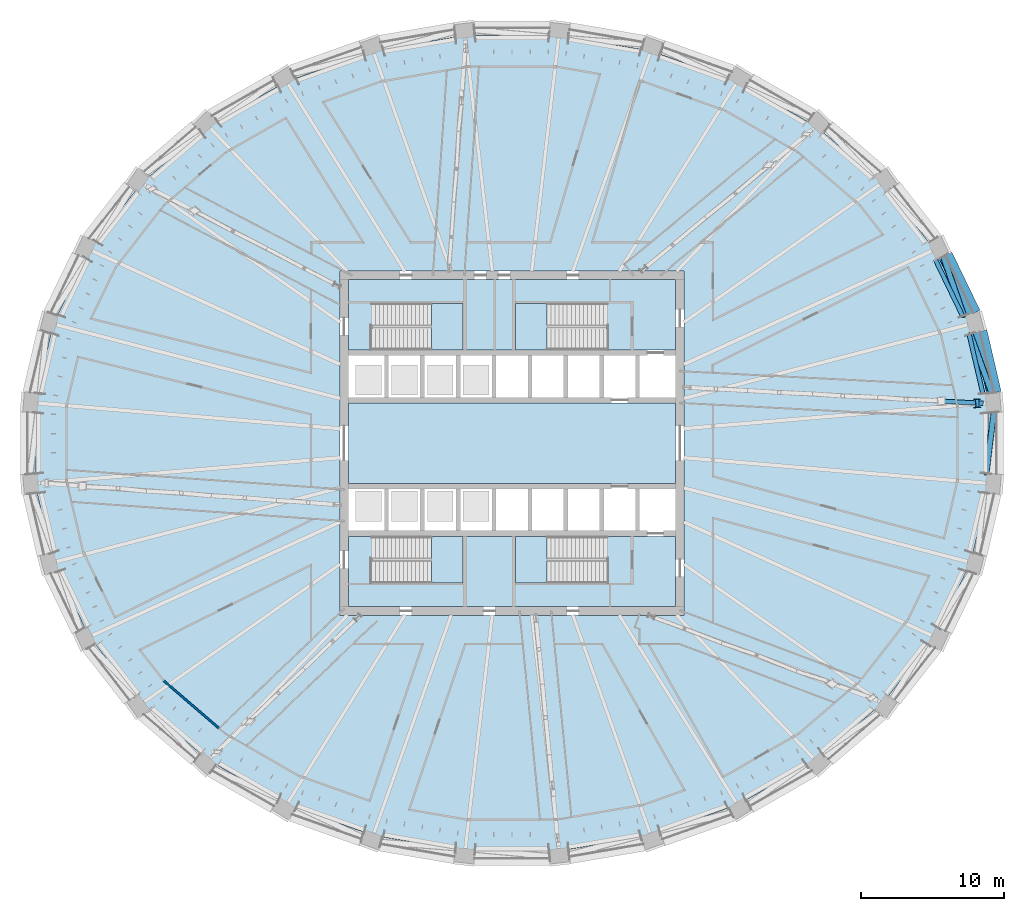
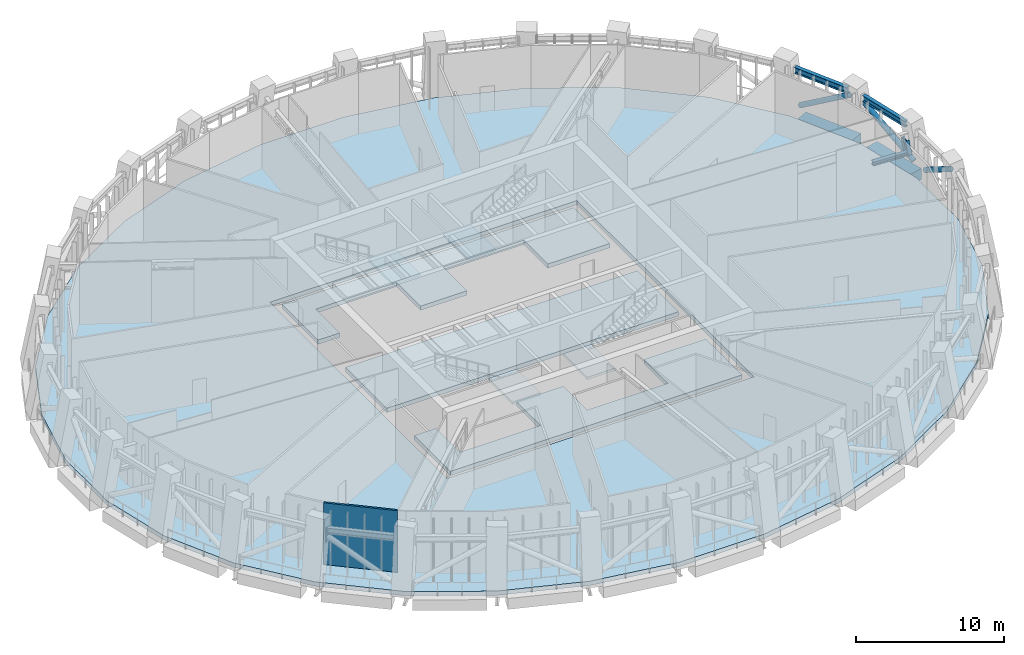
# One storey, part 6 of 21: 8 slabs, 7 members, 2 beams, 1 wall, 4 elements without a shape of their own.
"""IFC4 building model written with IfcOpenShell, lengths in metres."""

from ifc_helpers import new_model, si_unit, direction, frame, origin, origin_2d, place, context, subcontext, project, spatial, polyline, rectangle, hollow_circle, i_section, outline, extrude, material, layer, layer_set, material_profile, profile_set, type_object, element, aggregate, save


model = new_model("IFC4")

# Units and contexts
model_context = context("Model", 3, precision=1e-05, world=origin(), true_north=direction((0.0, 1.0)))
body_context = subcontext(model_context, "Body", "Model", "MODEL_VIEW")
ifc_project = project(units=[si_unit("LENGTHUNIT", "METRE"), si_unit("AREAUNIT", "SQUARE_METRE"), si_unit("VOLUMEUNIT", "CUBIC_METRE"), si_unit("PLANEANGLEUNIT", "RADIAN"), si_unit("MASSUNIT", "GRAM", prefix="KILO")], contexts=[model_context])

# Site, building, storey
site_placement = place(None, origin())
site = spatial("IfcSite", under=ifc_project, at=site_placement, CompositionType="ELEMENT")
building_placement = place(site_placement, origin())
building = spatial("IfcBuilding", under=site, at=building_placement, Name="Halqa Exchange Tower", CompositionType="ELEMENT")
storey_placement = place(building_placement, frame((0.0, 0.0, 173.5)))
storey = spatial("IfcBuildingStorey", under=building, at=storey_placement, Name="L39", CompositionType="ELEMENT", Elevation=173.5)

# Members
ifc_material_1 = material(Name="Steel S355", Category="steel")
ifc_material_profile_1 = material_profile(ifc_material_1, i_section(OverallWidth=0.300048828125, OverallDepth=0.5, WebThickness=0.014404296875, FlangeThickness=0.028076171875, FilletRadius=0.027099609375, at=origin_2d()), Name="HEB 500")
ifc_profile_set_1 = profile_set([ifc_material_profile_1], Name="Steel S355")
member_type_1 = type_object("IfcMemberType", Name="Belt truss chord HEB 500", PredefinedType="CHORD", material=ifc_profile_set_1)
member_1_placement = place(storey_placement, frame((32.821533203125, 3.443359375, 4.25), z_axis=(-0.226071328972, 0.974110750488, 0.0), x_axis=(-0.974110750488, -0.226071328972, 0.0)))
element("IfcMember", 1, at=member_1_placement, inside=storey, type_object=member_type_1, Name="Belt chord 1", PredefinedType="CHORD", context=body_context, shape_type="SweptSolid", body=[
    extrude(i_section(OverallWidth=0.300048828125, OverallDepth=0.5, WebThickness=0.014404296875, FlangeThickness=0.028076171875, FilletRadius=0.027099609375, at=origin_2d()), origin(), (0.0, 0.0, 1.0), 4.251708984375),
])
member_2_placement = place(storey_placement, frame((31.4130859375, 8.853271484375, 4.25), z_axis=(-0.435124788825, 0.900370156186, 0.0), x_axis=(-0.900370156186, -0.435124788825, 0.0)))
element("IfcMember", 2, at=member_2_placement, inside=storey, type_object=member_type_1, Name="Belt chord 2", PredefinedType="CHORD", context=body_context, shape_type="SweptSolid", body=[
    extrude(i_section(OverallWidth=0.300048828125, OverallDepth=0.5, WebThickness=0.014404296875, FlangeThickness=0.028076171875, FilletRadius=0.027099609375, at=origin_2d()), origin(), (0.0, 0.0, 1.0), 4.36083984375),
])
ifc_material_profile_2 = material_profile(ifc_material_1, hollow_circle(Radius=0.203125, WallThickness=0.02490234375, at=origin_2d()), Name="CHS 406.4x25")
ifc_profile_set_2 = profile_set([ifc_material_profile_2], Name="Steel S355")
member_type_2 = type_object("IfcMemberType", Name="Belt truss diagonal CHS 406.4x25", PredefinedType="BRACE", material=ifc_profile_set_2)
member_3_placement = place(storey_placement, frame((33.43017578125, 3.491943359375, 0.950927734375), z_axis=(-0.285439464031, 0.787290547851, 0.546532620836), x_axis=(-0.940118219576, -0.340848548804, 0.0)))
element("IfcMember", 3, at=member_3_placement, inside=storey, type_object=member_type_2, Name="Belt diagonal 1", PredefinedType="BRACE", context=body_context, shape_type="SweptSolid", body=[
    extrude(hollow_circle(Radius=0.203125, WallThickness=0.02490234375, at=origin_2d()), origin(), (0.0, 0.0, 1.0), 5.234619140625),
])
member_4_placement = place(storey_placement, frame((31.488037109375, 8.87890625, 3.811279296875), z_axis=(-0.273233890148, 0.79126704312, -0.547028068519), x_axis=(-0.945231823702, -0.326399754075, 0.0)))
element("IfcMember", 4, at=member_4_placement, inside=storey, type_object=member_type_2, Name="Belt diagonal 2", PredefinedType="BRACE", context=body_context, shape_type="SweptSolid", body=[
    extrude(hollow_circle(Radius=0.203125, WallThickness=0.02490234375, at=origin_2d()), origin(), (0.0, 0.0, 1.0), 5.22900390625),
])
member_5_placement = place(storey_placement, frame((33.056396484375, -2.1171875, 3.805908203125), z_axis=(0.101703463411, 0.827765008805, -0.55178029661), x_axis=(-0.992536474378, 0.12194813254, 0.0)))
element("IfcMember", 5, at=member_5_placement, inside=storey, type_object=member_type_2, Name="Belt diagonal 32", PredefinedType="BRACE", context=body_context, shape_type="SweptSolid", body=[
    extrude(hollow_circle(Radius=0.203125, WallThickness=0.02490234375, at=origin_2d()), origin(), (0.0, 0.0, 1.0), 5.16357421875),
])
ifc_material_profile_3 = material_profile(ifc_material_1, i_section(OverallWidth=0.300048828125, OverallDepth=0.300048828125, WebThickness=0.010986328125, FlangeThickness=0.01904296875, FilletRadius=0.027099609375, at=origin_2d()), Name="HEB 300")
ifc_profile_set_3 = profile_set([ifc_material_profile_3], Name="Steel S355")
member_type_3 = type_object("IfcMemberType", Name="Outrigger opening chord HEB 300", PredefinedType="CHORD", material=ifc_profile_set_3)
member_6_placement = place(storey_placement, frame((29.8671875, 2.933837890625, 2.35009765625), z_axis=(0.998539171036, -0.054032618913, 0.0), x_axis=(0.054032618913, 0.998539171036, 0.0)))
element("IfcMember", 6, at=member_6_placement, inside=storey, type_object=member_type_3, Name="Outrigger 1 opening chord", PredefinedType="CHORD", context=body_context, shape_type="SweptSolid", body=[
    extrude(i_section(OverallWidth=0.300048828125, OverallDepth=0.300048828125, WebThickness=0.010986328125, FlangeThickness=0.01904296875, FilletRadius=0.027099609375, at=origin_2d()), origin(), (0.0, 0.0, 1.0), 2.982177734375),
])
ifc_material_profile_4 = material_profile(ifc_material_1, i_section(OverallWidth=0.300048828125, OverallDepth=0.60009765625, WebThickness=0.015380859375, FlangeThickness=0.030029296875, FilletRadius=0.027099609375, at=origin_2d()), Name="HEB 600")
ifc_profile_set_4 = profile_set([ifc_material_profile_4], Name="Steel S355")
member_type_4 = type_object("IfcMemberType", Name="Outrigger post HEB 600", PredefinedType="POST", material=ifc_profile_set_4)
member_7_placement = place(storey_placement, frame((32.546630859375, 2.788330078125, 2.35009765625), z_axis=(-0.181219090156, -0.015292750224, 0.983323839411), x_axis=(0.982864994364, 0.031452231988, 0.181623676753)))
element("IfcMember", 7, at=member_7_placement, inside=storey, type_object=member_type_4, Name="Outrigger 1 post", PredefinedType="POST", context=body_context, shape_type="SweptSolid", body=[
    extrude(i_section(OverallWidth=0.300048828125, OverallDepth=0.60009765625, WebThickness=0.015380859375, FlangeThickness=0.030029296875, FilletRadius=0.027099609375, at=origin_2d()), origin(), (0.0, 0.0, 1.0), 1.277099609375),
])

# Beams
ifc_material_2 = material(Name="Concrete C60/75", Category="concrete")
ifc_material_profile_5 = material_profile(ifc_material_2, rectangle(XDim=1.0, YDim=0.89990234375, at=origin_2d()), Name="1000 x 900")
ifc_profile_set_5 = profile_set([ifc_material_profile_5], Name="Concrete C60/75")
beam_type = type_object("IfcBeamType", Name="RC spandrel beam 1000 x 900 C60/75", PredefinedType="SPANDREL", material=ifc_profile_set_5)
beam_1_placement = place(storey_placement, frame((33.60498046875, 3.508056640625, -0.449951171875), z_axis=(-0.226050480348, 0.974115588795, 0.0), x_axis=(-0.974115588795, -0.226050480348, 0.0)))
element("IfcBeam", 8, at=beam_1_placement, inside=storey, type_object=beam_type, Name="Spandrel 1", PredefinedType="SPANDREL", context=body_context, shape_type="SweptSolid", body=[
    extrude(rectangle(XDim=1.0, YDim=0.89990234375, at=origin_2d()), origin(), (0.0, 0.0, 1.0), 4.385986328125),
])
beam_2_placement = place(storey_placement, frame((32.166259765625, 9.048828125, -0.449951171875), z_axis=(-0.435099717308, 0.900382272148, 0.0), x_axis=(-0.900382272148, -0.435099717308, 0.0)))
element("IfcBeam", 9, at=beam_2_placement, inside=storey, type_object=beam_type, Name="Spandrel 2", PredefinedType="SPANDREL", context=body_context, shape_type="SweptSolid", body=[
    extrude(rectangle(XDim=1.0, YDim=0.89990234375, at=origin_2d()), origin(), (0.0, 0.0, 1.0), 4.497314453125),
])

# Slabs
ifc_layer_1 = layer(ifc_material_2, 0.35009765625)
ifc_layer_set_1 = layer_set([ifc_layer_1], Name="Concrete C60/75")
slab_type_1 = type_object("IfcSlabType", Name="Core floor slab 350", PredefinedType="FLOOR", material=ifc_layer_set_1)
slab_1_placement = place(storey_placement, frame((0.0, 0.0, -0.35009765625)))
element("IfcSlab", 10, at=slab_1_placement, inside=storey, type_object=slab_type_1, Name="Core floor slab", PredefinedType="FLOOR", context=body_context, shape_type="SweptSolid", body=[
    extrude(outline(polyline([(-11.39990234375, 2.800048828125), (11.39990234375, 2.800048828125), (11.39990234375, -2.800048828125), (-11.39990234375, -2.800048828125), (-11.39990234375, 2.800048828125)])), origin(), (0.0, 0.0, 1.0), 0.35009765625),
])
slab_2_placement = place(storey_placement, frame((0.0, 0.0, -0.35009765625)))
element("IfcSlab", 11, at=slab_2_placement, inside=storey, type_object=slab_type_1, Name="Core floor slab", PredefinedType="FLOOR", context=body_context, shape_type="SweptSolid", body=[
    extrude(outline(polyline([(-11.39990234375, 11.39990234375), (11.39990234375, 11.39990234375), (11.39990234375, 6.5), (6.550048828125, 6.5), (6.550048828125, 9.75), (0.25, 9.75), (0.25, 6.5), (-3.39990234375, 6.5), (-3.39990234375, 9.75), (-9.699951171875, 9.75), (-9.699951171875, 6.5), (-11.39990234375, 6.5), (-11.39990234375, 11.39990234375)])), origin(), (0.0, 0.0, 1.0), 0.35009765625),
])
slab_3_placement = place(storey_placement, frame((0.0, 0.0, -0.35009765625)))
element("IfcSlab", 12, at=slab_3_placement, inside=storey, type_object=slab_type_1, Name="Core floor slab", PredefinedType="FLOOR", context=body_context, shape_type="SweptSolid", body=[
    extrude(outline(polyline([(-9.699951171875, -9.75), (-3.39990234375, -9.75), (-3.39990234375, -6.5), (0.25, -6.5), (0.25, -9.75), (6.550048828125, -9.75), (6.550048828125, -6.5), (11.39990234375, -6.5), (11.39990234375, -11.39990234375), (-11.39990234375, -11.39990234375), (-11.39990234375, -6.5), (-9.699951171875, -6.5), (-9.699951171875, -9.75)])), origin(), (0.0, 0.0, 1.0), 0.35009765625),
])
ifc_material_3 = material(Name="Concrete C40/50", Category="concrete")
ifc_layer_2 = layer(ifc_material_3, 0.35009765625)
ifc_layer_set_2 = layer_set([ifc_layer_2], Name="Concrete C40/50")
slab_type_2 = type_object("IfcSlabType", Name="RC floor slab 350", PredefinedType="FLOOR", material=ifc_layer_set_2)
slab_4_placement = place(storey_placement, frame((0.0, 0.0, -0.35009765625)))
element("IfcSlab", 13, at=slab_4_placement, inside=storey, type_object=slab_type_2, Name="Floor slab", PredefinedType="FLOOR", context=body_context, shape_type="SweptSolid", body=[
    extrude(outline(polyline([(33.2578125, 2.79248046875), (33.2578125, -2.79248046875), (31.986083984375, -8.272705078125), (29.48876953125, -13.4404296875), (25.85791015625, -18.09814453125), (21.229736328125, -22.06494140625), (15.78076171875, -25.185791015625), (9.72021484375, -27.337646484375), (3.282470703125, -28.435302734375), (-3.282470703125, -28.435302734375), (-9.72021484375, -27.337646484375), (-15.78076171875, -25.185791015625), (-21.229736328125, -22.06494140625), (-25.85791015625, -18.09814453125), (-29.48876953125, -13.4404296875), (-31.986083984375, -8.272705078125), (-33.2578125, -2.79248046875), (-33.2578125, 2.79248046875), (-31.986083984375, 8.272705078125), (-29.48876953125, 13.4404296875), (-25.85791015625, 18.09814453125), (-21.229736328125, 22.06494140625), (-15.78076171875, 25.185791015625), (-9.72021484375, 27.337646484375), (-3.282470703125, 28.435302734375), (3.282470703125, 28.435302734375), (9.72021484375, 27.337646484375), (15.78076171875, 25.185791015625), (21.229736328125, 22.06494140625), (25.85791015625, 18.09814453125), (29.48876953125, 13.4404296875), (31.986083984375, 8.272705078125), (33.2578125, 2.79248046875)]), holes=[polyline([(-12.0, -12.0), (12.0, -12.0), (12.0, 12.0), (-12.0, 12.0), (-12.0, -12.0)])]), origin(), (0.0, 0.0, 1.0), 0.35009765625),
])

# Stair, slab
ifc_material_4 = material(Name="Concrete C30/37", Category="concrete")
stair_type = type_object("IfcStairType", Name="Exit stair 1500 wide", PredefinedType="HALF_TURN_STAIR", material=ifc_material_4)
stair_1_placement = place(storey_placement, origin())
stair_1 = element("IfcStair", 14, at=stair_1_placement, inside=storey, type_object=stair_type, Name="Exit stair ST1", PredefinedType="HALF_TURN_STAIR")
ifc_layer_3 = layer(ifc_material_4, 0.199951171875)
ifc_layer_set_3 = layer_set([ifc_layer_3], Name="Concrete C30/37")
slab_type_3 = type_object("IfcSlabType", Name="Stair landing 200 slab", PredefinedType="LANDING", material=ifc_layer_set_3)
slab_5_placement = place(storey_placement, frame((0.0, 0.0, 2.5)))
slab_5 = element("IfcSlab", 15, at=slab_5_placement, type_object=slab_type_3, Name="ST1 landing 1", PredefinedType="LANDING", context=body_context, shape_type="SweptSolid", body=[
    extrude(outline(polyline([(-5.60009765625, 6.5), (-3.39990234375, 6.5), (-3.39990234375, 9.75), (-5.60009765625, 9.75), (-5.60009765625, 6.5)])), origin(), (0.0, 0.0, 1.0), 0.199951171875),
])
aggregate(stair_1, [slab_5])

stair_2_placement = place(storey_placement, origin())
stair_2 = element("IfcStair", 16, at=stair_2_placement, inside=storey, type_object=stair_type, Name="Exit stair ST2", PredefinedType="HALF_TURN_STAIR")
slab_6_placement = place(storey_placement, frame((0.0, 0.0, 2.5)))
slab_6 = element("IfcSlab", 17, at=slab_6_placement, type_object=slab_type_3, Name="ST2 landing 1", PredefinedType="LANDING", context=body_context, shape_type="SweptSolid", body=[
    extrude(outline(polyline([(0.25, 6.5), (2.449951171875, 6.5), (2.449951171875, 9.75), (0.25, 9.75), (0.25, 6.5)])), origin(), (0.0, 0.0, 1.0), 0.199951171875),
])
aggregate(stair_2, [slab_6])

stair_3_placement = place(storey_placement, origin())
stair_3 = element("IfcStair", 18, at=stair_3_placement, inside=storey, type_object=stair_type, Name="Exit stair ST3", PredefinedType="HALF_TURN_STAIR")
slab_7_placement = place(storey_placement, frame((0.0, 0.0, 2.5)))
slab_7 = element("IfcSlab", 19, at=slab_7_placement, type_object=slab_type_3, Name="ST3 landing 1", PredefinedType="LANDING", context=body_context, shape_type="SweptSolid", body=[
    extrude(outline(polyline([(-5.60009765625, -9.75), (-3.39990234375, -9.75), (-3.39990234375, -6.5), (-5.60009765625, -6.5), (-5.60009765625, -9.75)])), origin(), (0.0, 0.0, 1.0), 0.199951171875),
])
aggregate(stair_3, [slab_7])

stair_4_placement = place(storey_placement, origin())
stair_4 = element("IfcStair", 20, at=stair_4_placement, inside=storey, type_object=stair_type, Name="Exit stair ST4", PredefinedType="HALF_TURN_STAIR")
slab_8_placement = place(storey_placement, frame((0.0, 0.0, 2.5)))
slab_8 = element("IfcSlab", 21, at=slab_8_placement, type_object=slab_type_3, Name="ST4 landing 1", PredefinedType="LANDING", context=body_context, shape_type="SweptSolid", body=[
    extrude(outline(polyline([(0.25, -9.75), (2.449951171875, -9.75), (2.449951171875, -6.5), (0.25, -6.5), (0.25, -9.75)])), origin(), (0.0, 0.0, 1.0), 0.199951171875),
])
aggregate(stair_4, [slab_8])

# Wall
ifc_material_5 = material(Name="Fire-rated gypsum board")
ifc_layer_4 = layer(ifc_material_5, 0.14990234375)
ifc_layer_set_4 = layer_set([ifc_layer_4], Name="Fire-rated gypsum board")
wall_type = type_object("IfcWallType", Name="Fire partition EI 60 150", PredefinedType="PARTITIONING", material=ifc_layer_set_4)
wall_placement = place(storey_placement, frame((-24.265625, -16.565185546875, 0.0), z_axis=(0.0, 0.0, 1.0), x_axis=(0.758416508113, -0.651770205074, 0.0)))
element("IfcWall", 22, at=wall_placement, inside=storey, type_object=wall_type, Name="L39-PWL-016", PredefinedType="PARTITIONING", context=body_context, shape_type="SweptSolid", body=[
    extrude(outline(polyline([(5.07080078125, 0.074951171875), (3.385498046875, 0.074951171875), (1.7001953125, 0.074951171875), (0.014892578125, 0.074951171875), (0.0, -0.07373046875), (0.0, -0.074951171875), (1.690185546875, -0.074951171875), (3.380615234375, -0.074951171875), (5.07080078125, -0.074951171875), (5.07080078125, 0.074951171875)])), origin(), (0.0, 0.0, 1.0), 5.10009765625),
])

save(model, "model.ifc")
